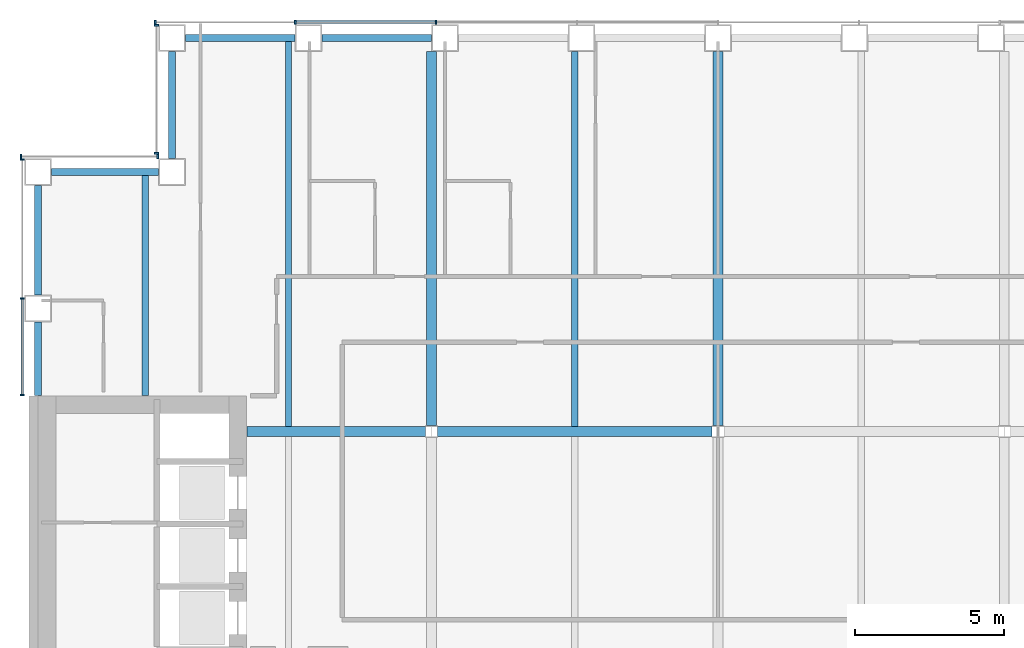
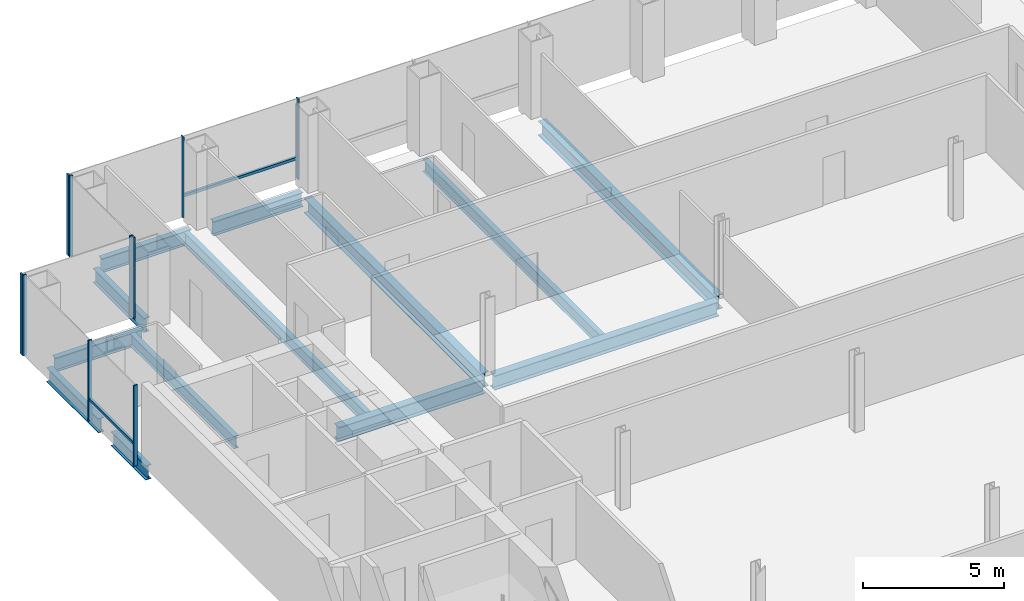
# One storey, part 6 of 15: 13 beams, 12 members, 4 elements without a shape of their own.
"""IFC4 building model written with IfcOpenShell, lengths in metres."""

from ifc_helpers import new_model, si_unit, direction, frame, origin, origin_2d, place, context, subcontext, project, spatial, rectangle, i_section, extrude, material, material_profile, profile_set, type_object, element, aggregate, save


model = new_model("IFC4")

# Units and contexts
model_context = context("Model", 3, precision=1e-05, world=origin(), true_north=direction((0.0, 1.0)))
body_context = subcontext(model_context, "Body", "Model", "MODEL_VIEW")
ifc_project = project(units=[si_unit("LENGTHUNIT", "METRE"), si_unit("AREAUNIT", "SQUARE_METRE"), si_unit("VOLUMEUNIT", "CUBIC_METRE"), si_unit("PLANEANGLEUNIT", "RADIAN"), si_unit("MASSUNIT", "GRAM", prefix="KILO")], contexts=[model_context])

# Site, building, storey
site_placement = place(None, origin())
site = spatial("IfcSite", under=ifc_project, at=site_placement, CompositionType="ELEMENT")
building_placement = place(site_placement, origin())
building = spatial("IfcBuilding", under=site, at=building_placement, Name="Cobrizo Arcos Hotel Tower", CompositionType="ELEMENT")
storey_placement = place(building_placement, frame((0.0, 0.0, 99.5)))
storey = spatial("IfcBuildingStorey", under=building, at=storey_placement, Name="L24", CompositionType="ELEMENT", Elevation=99.5)

# Curtain wall, members
ifc_material_1 = material(Name="Aluminium 6063-T6 anodised bronze", Category="aluminium")
curtain_wall_type = type_object("IfcCurtainWallType", Name="CW-A guest facade", PredefinedType="NOTDEFINED", material=ifc_material_1)
curtain_wall_1_placement = place(storey_placement, origin())
curtain_wall_1 = element("IfcCurtainWall", 1, at=curtain_wall_1_placement, inside=storey, type_object=curtain_wall_type, Name="CW-A L24 N face", PredefinedType="NOTDEFINED")
ifc_material_profile_1 = material_profile(ifc_material_1, rectangle(XDim=0.14990234375, YDim=0.06005859375, at=origin_2d()), Name="CW-A mullion 150x60")
ifc_profile_set_1 = profile_set([ifc_material_profile_1], Name="Aluminium 6063-T6 anodised bronze")
member_type_1 = type_object("IfcMemberType", Name="CW-A mullion 150x60", PredefinedType="MULLION", material=ifc_profile_set_1)
member_1_placement = place(storey_placement, frame((-9.449951171875, 23.324951171875, 0.0), z_axis=(0.0, 0.0, 1.0), x_axis=(0.0, 1.0, 0.0)))
member_1 = element("IfcMember", 2, at=member_1_placement, type_object=member_type_1, Name="CW-A mullion 7", PredefinedType="MULLION", context=body_context, shape_type="SweptSolid", body=[
    extrude(rectangle(XDim=0.14990234375, YDim=0.06005859375, at=origin_2d()), origin(), (0.0, 0.0, 1.0), 3.5),
])
member_2_placement = place(storey_placement, frame((-14.175048828125, 23.324951171875, 0.0), z_axis=(0.0, 0.0, 1.0), x_axis=(0.0, 1.0, 0.0)))
member_2 = element("IfcMember", 3, at=member_2_placement, type_object=member_type_1, Name="CW-A mullion 8", PredefinedType="MULLION", context=body_context, shape_type="SweptSolid", body=[
    extrude(rectangle(XDim=0.14990234375, YDim=0.06005859375, at=origin_2d()), origin(), (0.0, 0.0, 1.0), 3.5),
])
member_3_placement = place(storey_placement, frame((-18.8701171875, 23.324951171875, 0.0), z_axis=(0.0, 0.0, 1.0), x_axis=(0.0, 1.0, 0.0)))
member_3 = element("IfcMember", 4, at=member_3_placement, type_object=member_type_1, Name="CW-A mullion 9", PredefinedType="MULLION", context=body_context, shape_type="SweptSolid", body=[
    extrude(rectangle(XDim=0.14990234375, YDim=0.06005859375, at=origin_2d()), origin(), (0.0, 0.0, 1.0), 3.5),
])

curtain_wall_2_placement = place(storey_placement, origin())
curtain_wall_2 = element("IfcCurtainWall", 5, at=curtain_wall_2_placement, inside=storey, type_object=curtain_wall_type, Name="CW-A L24 W face", PredefinedType="NOTDEFINED")
member_4_placement = place(storey_placement, frame((-18.824951171875, 23.219970703125, 0.0), z_axis=(0.0, 0.0, 1.0), x_axis=(-1.0, 0.0, 0.0)))
member_4 = element("IfcMember", 6, at=member_4_placement, type_object=member_type_1, Name="CW-A mullion 1", PredefinedType="MULLION", context=body_context, shape_type="SweptSolid", body=[
    extrude(rectangle(XDim=0.14990234375, YDim=0.06005859375, at=origin_2d()), origin(), (0.0, 0.0, 1.0), 3.5),
])
member_5_placement = place(storey_placement, frame((-18.824951171875, 18.929931640625, 0.0), z_axis=(0.0, 0.0, 1.0), x_axis=(-1.0, 0.0, 0.0)))
member_5 = element("IfcMember", 7, at=member_5_placement, type_object=member_type_1, Name="CW-A mullion 2", PredefinedType="MULLION", context=body_context, shape_type="SweptSolid", body=[
    extrude(rectangle(XDim=0.14990234375, YDim=0.06005859375, at=origin_2d()), origin(), (0.0, 0.0, 1.0), 3.5),
])
aggregate(curtain_wall_2, [member_4, member_5])

curtain_wall_3_placement = place(storey_placement, origin())
curtain_wall_3 = element("IfcCurtainWall", 8, at=curtain_wall_3_placement, inside=storey, type_object=curtain_wall_type, Name="CW-A L24 N face", PredefinedType="NOTDEFINED")
member_6_placement = place(storey_placement, frame((-18.780029296875, 18.824951171875, 0.0), z_axis=(0.0, 0.0, 1.0), x_axis=(0.0, 1.0, 0.0)))
member_6 = element("IfcMember", 9, at=member_6_placement, type_object=member_type_1, Name="CW-A mullion 1", PredefinedType="MULLION", context=body_context, shape_type="SweptSolid", body=[
    extrude(rectangle(XDim=0.14990234375, YDim=0.06005859375, at=origin_2d()), origin(), (0.0, 0.0, 1.0), 3.5),
])
member_7_placement = place(storey_placement, frame((-23.3701171875, 18.824951171875, 0.0), z_axis=(0.0, 0.0, 1.0), x_axis=(0.0, 1.0, 0.0)))
member_7 = element("IfcMember", 10, at=member_7_placement, type_object=member_type_1, Name="CW-A mullion 2", PredefinedType="MULLION", context=body_context, shape_type="SweptSolid", body=[
    extrude(rectangle(XDim=0.14990234375, YDim=0.06005859375, at=origin_2d()), origin(), (0.0, 0.0, 1.0), 3.5),
])
aggregate(curtain_wall_3, [member_6, member_7])

curtain_wall_4_placement = place(storey_placement, origin())
curtain_wall_4 = element("IfcCurtainWall", 11, at=curtain_wall_4_placement, inside=storey, type_object=curtain_wall_type, Name="CW-A L24 W face", PredefinedType="NOTDEFINED")
member_8_placement = place(storey_placement, frame((-23.324951171875, 18.719970703125, 0.0), z_axis=(0.0, 0.0, 1.0), x_axis=(-1.0, 0.0, 0.0)))
member_8 = element("IfcMember", 12, at=member_8_placement, type_object=member_type_1, Name="CW-A mullion 1", PredefinedType="MULLION", context=body_context, shape_type="SweptSolid", body=[
    extrude(rectangle(XDim=0.14990234375, YDim=0.06005859375, at=origin_2d()), origin(), (0.0, 0.0, 1.0), 3.5),
])
member_9_placement = place(storey_placement, frame((-23.324951171875, 14.0625, 0.0), z_axis=(0.0, 0.0, 1.0), x_axis=(-1.0, 0.0, 0.0)))
member_9 = element("IfcMember", 13, at=member_9_placement, type_object=member_type_1, Name="CW-A mullion 2", PredefinedType="MULLION", context=body_context, shape_type="SweptSolid", body=[
    extrude(rectangle(XDim=0.14990234375, YDim=0.06005859375, at=origin_2d()), origin(), (0.0, 0.0, 1.0), 3.5),
])
member_10_placement = place(storey_placement, frame((-23.324951171875, 10.830078125, 0.0), z_axis=(0.0, 0.0, 1.0), x_axis=(-1.0, 0.0, 0.0)))
member_10 = element("IfcMember", 14, at=member_10_placement, type_object=member_type_1, Name="CW-A mullion 3", PredefinedType="MULLION", context=body_context, shape_type="SweptSolid", body=[
    extrude(rectangle(XDim=0.14990234375, YDim=0.06005859375, at=origin_2d()), origin(), (0.0, 0.0, 1.0), 3.5),
])

# Member
ifc_material_profile_2 = material_profile(ifc_material_1, rectangle(XDim=0.10009765625, YDim=0.1201171875, at=origin_2d()), Name="CW-A transom 120x100")
ifc_profile_set_2 = profile_set([ifc_material_profile_2], Name="Aluminium 6063-T6 anodised bronze")
member_type_2 = type_object("IfcMemberType", Name="CW-A transom 120x100", PredefinedType="USERDEFINED", material=ifc_profile_set_2)
member_11_placement = place(storey_placement, frame((-9.47998046875, 23.324951171875, 0.929931640625), z_axis=(-1.0, 0.0, 0.0), x_axis=(0.0, -1.0, 0.0)))
member_11 = element("IfcMember", 15, at=member_11_placement, type_object=member_type_2, Name="CW-A transom 969", ObjectType="TRANSOM", PredefinedType="USERDEFINED", context=body_context, shape_type="SweptSolid", body=[
    extrude(rectangle(XDim=0.10009765625, YDim=0.1201171875, at=origin_2d()), origin(), (0.0, 0.0, 1.0), 4.6650390625),
])

aggregate(curtain_wall_1, [member_1, member_2, member_3, member_11])

member_12_placement = place(storey_placement, frame((-23.324951171875, 14.032470703125, 0.929931640625), z_axis=(0.0, -1.0, 0.0), x_axis=(1.0, 0.0, 0.0)))
member_12 = element("IfcMember", 16, at=member_12_placement, type_object=member_type_2, Name="CW-A transom 974", ObjectType="TRANSOM", PredefinedType="USERDEFINED", context=body_context, shape_type="SweptSolid", body=[
    extrude(rectangle(XDim=0.10009765625, YDim=0.1201171875, at=origin_2d()), origin(), (0.0, 0.0, 1.0), 3.17236328125),
])

aggregate(curtain_wall_4, [member_8, member_9, member_10, member_12])

# Beams
ifc_material_2 = material(Name="Steel ASTM A992 Grade 50", Category="steel")
ifc_material_profile_3 = material_profile(ifc_material_2, i_section(OverallWidth=0.209228515625, OverallDepth=0.533447265625, WebThickness=0.01025390625, FlangeThickness=0.015625, at=origin_2d()), Name="W21X62")
ifc_profile_set_3 = profile_set([ifc_material_profile_3], Name="Steel ASTM A992 Grade 50")
beam_type_1 = type_object("IfcBeamType", Name="W21X62 joist", PredefinedType="JOIST", material=ifc_profile_set_3)
beam_1_placement = place(storey_placement, frame((-19.199951171875, 10.81005859375, -0.416748046875), z_axis=(0.0, 1.0, 0.0), x_axis=(-1.0, 0.0, 0.0)))
element("IfcBeam", 17, at=beam_1_placement, inside=storey, type_object=beam_type_1, Name="Floor joist J1, L24, no. 002", PredefinedType="JOIST", context=body_context, shape_type="SweptSolid", body=[
    extrude(i_section(OverallWidth=0.209228515625, OverallDepth=0.533447265625, WebThickness=0.01025390625, FlangeThickness=0.015625, at=origin_2d()), origin(), (0.0, 0.0, 1.0), 7.39990234375),
])
beam_2_placement = place(storey_placement, frame((-14.39990234375, 9.763916015625, -0.416748046875), z_axis=(0.0, 1.0, 0.0), x_axis=(-1.0, 0.0, 0.0)))
element("IfcBeam", 18, at=beam_2_placement, inside=storey, type_object=beam_type_1, Name="Floor joist J1, L24, no. 006", PredefinedType="JOIST", context=body_context, shape_type="SweptSolid", body=[
    extrude(i_section(OverallWidth=0.209228515625, OverallDepth=0.533447265625, WebThickness=0.01025390625, FlangeThickness=0.015625, at=origin_2d()), origin(), (0.0, 0.0, 1.0), 12.946044921875),
])
beam_3_placement = place(storey_placement, frame((-4.800048828125, 9.763916015625, -0.416748046875), z_axis=(0.0, 1.0, 0.0), x_axis=(-1.0, 0.0, 0.0)))
element("IfcBeam", 19, at=beam_3_placement, inside=storey, type_object=beam_type_1, Name="Floor joist J1, L24, no. 010", PredefinedType="JOIST", context=body_context, shape_type="SweptSolid", body=[
    extrude(i_section(OverallWidth=0.209228515625, OverallDepth=0.533447265625, WebThickness=0.01025390625, FlangeThickness=0.015625, at=origin_2d()), origin(), (0.0, 0.0, 1.0), 12.586181640625),
])
ifc_material_profile_4 = material_profile(ifc_material_2, i_section(OverallWidth=0.32763671875, OverallDepth=0.622314453125, WebThickness=0.015380859375, FlangeThickness=0.0244140625, at=origin_2d()), Name="W24X131")
ifc_profile_set_4 = profile_set([ifc_material_profile_4], Name="Steel ASTM A992 Grade 50")
beam_type_2 = type_object("IfcBeamType", Name="W24X131 girder", PredefinedType="BEAM", material=ifc_profile_set_4)
beam_4_placement = place(storey_placement, frame((-15.7900390625, 9.60009765625, -0.461181640625), z_axis=(1.0, 0.0, 0.0), x_axis=(0.0, 1.0, 0.0)))
element("IfcBeam", 20, at=beam_4_placement, inside=storey, type_object=beam_type_2, Name="Floor girder G1, L24, no. 009", PredefinedType="BEAM", context=body_context, shape_type="SweptSolid", body=[
    extrude(i_section(OverallWidth=0.32763671875, OverallDepth=0.622314453125, WebThickness=0.015380859375, FlangeThickness=0.0244140625, at=origin_2d()), origin(), (0.0, 0.0, 1.0), 5.99072265625),
])
beam_5_placement = place(storey_placement, frame((-9.400634765625, 9.60009765625, -0.461181640625), z_axis=(1.0, 0.0, 0.0), x_axis=(0.0, 1.0, 0.0)))
element("IfcBeam", 21, at=beam_5_placement, inside=storey, type_object=beam_type_2, Name="Floor girder G1, L24, no. 010", PredefinedType="BEAM", context=body_context, shape_type="SweptSolid", body=[
    extrude(i_section(OverallWidth=0.32763671875, OverallDepth=0.622314453125, WebThickness=0.015380859375, FlangeThickness=0.0244140625, at=origin_2d()), origin(), (0.0, 0.0, 1.0), 9.201171875),
])
for number, where, z_axis, x_axis, name in (
    (22, (-9.60009765625, 9.79931640625, -0.461181640625), (0.0, 1.0, 0.0), (-1.0, 0.0, 0.0), "Floor girder G1, L24, no. 016"),
    (23, (0.0, 9.79931640625, -0.461181640625), (0.0, 1.0, 0.0), (-1.0, 0.0, 0.0), "Floor girder G1, L24, no. 020"),
):
    element("IfcBeam", number, at=place(storey_placement, frame(where, z_axis=z_axis, x_axis=x_axis)), inside=storey, type_object=beam_type_2, Name=name, PredefinedType="BEAM", context=body_context, shape_type="SweptSolid", body=[
        extrude(i_section(OverallWidth=0.32763671875, OverallDepth=0.622314453125, WebThickness=0.015380859375, FlangeThickness=0.0244140625, at=origin_2d()), origin(), (0.0, 0.0, 1.0), 12.55078125),
    ])
ifc_material_profile_5 = material_profile(ifc_material_2, i_section(OverallWidth=0.23046875, OverallDepth=0.6171875, WebThickness=0.01318359375, FlangeThickness=0.022216796875, at=origin_2d()), Name="W24X94")
ifc_profile_set_5 = profile_set([ifc_material_profile_5], Name="Steel ASTM A992 Grade 50")
beam_type_3 = type_object("IfcBeamType", Name="W24X94 spandrel", PredefinedType="SPANDREL", material=ifc_profile_set_5)
beam_6_placement = place(storey_placement, frame((-9.60009765625, 22.800048828125, -0.45849609375), z_axis=(-1.0, 0.0, 0.0), x_axis=(0.0, -1.0, 0.0)))
element("IfcBeam", 24, at=beam_6_placement, inside=storey, type_object=beam_type_3, Name="Spandrel beam W24X94, L24, no. 023", PredefinedType="SPANDREL", context=body_context, shape_type="SweptSolid", body=[
    extrude(i_section(OverallWidth=0.23046875, OverallDepth=0.6171875, WebThickness=0.01318359375, FlangeThickness=0.022216796875, at=origin_2d()), origin(), (0.0, 0.0, 1.0), 3.6748046875),
])
beam_7_placement = place(storey_placement, frame((-14.175048828125, 22.800048828125, -0.45849609375), z_axis=(-1.0, 0.0, 0.0), x_axis=(0.0, -1.0, 0.0)))
element("IfcBeam", 25, at=beam_7_placement, inside=storey, type_object=beam_type_3, Name="Spandrel beam W24X94, L24, no. 024", PredefinedType="SPANDREL", context=body_context, shape_type="SweptSolid", body=[
    extrude(i_section(OverallWidth=0.23046875, OverallDepth=0.6171875, WebThickness=0.01318359375, FlangeThickness=0.022216796875, at=origin_2d()), origin(), (0.0, 0.0, 1.0), 3.675048828125),
])
for number, where, z_axis, x_axis, name in (
    (26, (-18.300048828125, 22.35009765625, -0.45849609375), (0.0, -1.0, 0.0), (1.0, 0.0, 0.0), "Spandrel beam W24X94, L24, no. 025"),
    (27, (-18.75, 18.300048828125, -0.45849609375), (-1.0, 0.0, 0.0), (0.0, -1.0, 0.0), "Spandrel beam W24X94, L24, no. 026"),
):
    element("IfcBeam", number, at=place(storey_placement, frame(where, z_axis=z_axis, x_axis=x_axis)), inside=storey, type_object=beam_type_3, Name=name, PredefinedType="SPANDREL", context=body_context, shape_type="SweptSolid", body=[
        extrude(i_section(OverallWidth=0.23046875, OverallDepth=0.6171875, WebThickness=0.01318359375, FlangeThickness=0.022216796875, at=origin_2d()), origin(), (0.0, 0.0, 1.0), 3.60009765625),
    ])
beam_8_placement = place(storey_placement, frame((-22.800048828125, 17.85009765625, -0.45849609375), z_axis=(0.0, -1.0, 0.0), x_axis=(1.0, 0.0, 0.0)))
element("IfcBeam", 28, at=beam_8_placement, inside=storey, type_object=beam_type_3, Name="Spandrel beam W24X94, L24, no. 027", PredefinedType="SPANDREL", context=body_context, shape_type="SweptSolid", body=[
    extrude(i_section(OverallWidth=0.23046875, OverallDepth=0.6171875, WebThickness=0.01318359375, FlangeThickness=0.022216796875, at=origin_2d()), origin(), (0.0, 0.0, 1.0), 3.675048828125),
])
beam_9_placement = place(storey_placement, frame((-22.800048828125, 13.27490234375, -0.45849609375), z_axis=(0.0, -1.0, 0.0), x_axis=(1.0, 0.0, 0.0)))
element("IfcBeam", 29, at=beam_9_placement, inside=storey, type_object=beam_type_3, Name="Spandrel beam W24X94, L24, no. 028", PredefinedType="SPANDREL", context=body_context, shape_type="SweptSolid", body=[
    extrude(i_section(OverallWidth=0.23046875, OverallDepth=0.6171875, WebThickness=0.01318359375, FlangeThickness=0.022216796875, at=origin_2d()), origin(), (0.0, 0.0, 1.0), 2.46484375),
])

save(model, "model.ifc")
